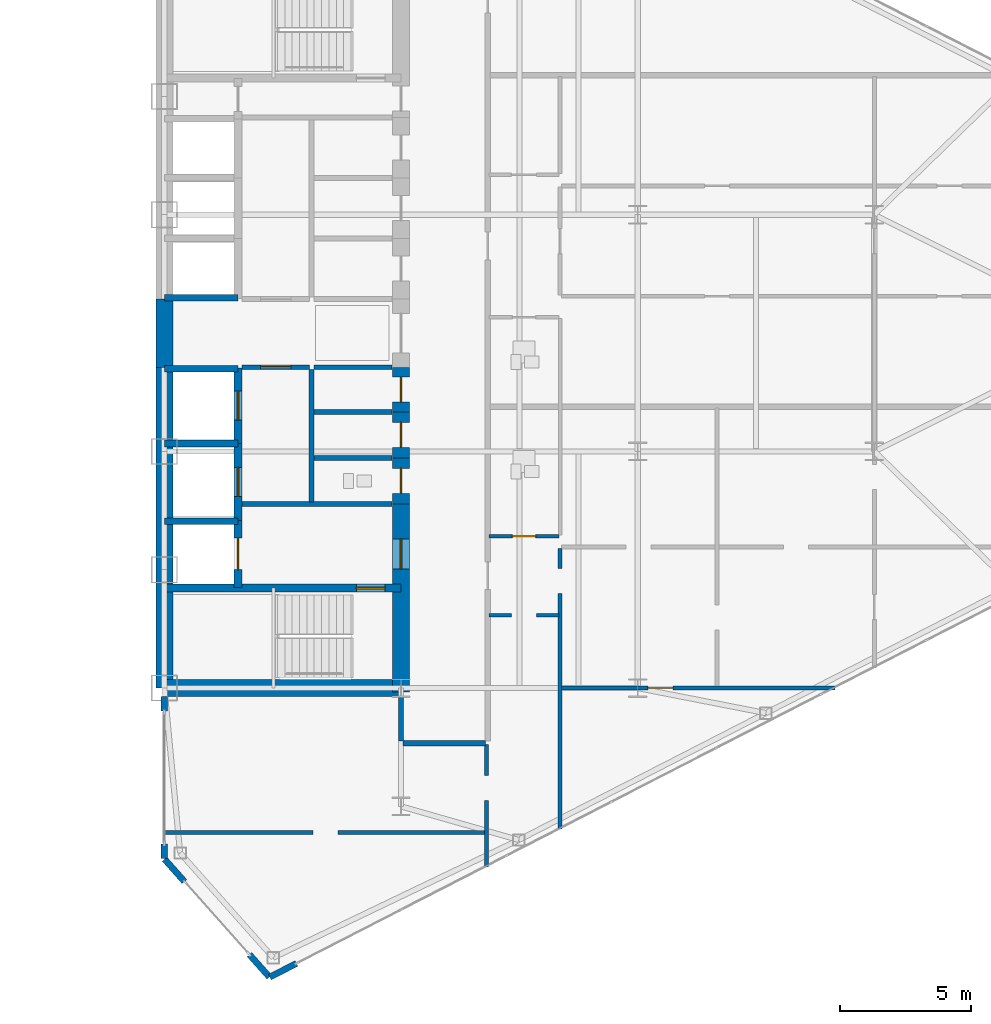
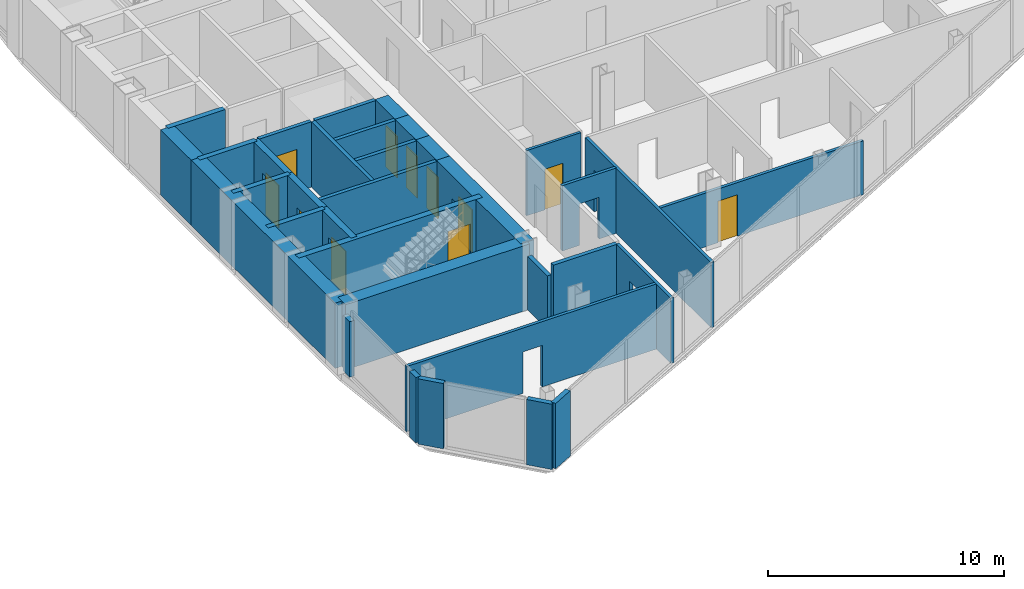
# One storey, part 19 of 24: 34 walls, 11 doors, 15 openings.
"""IFC4 building model written with IfcOpenShell, lengths in metres."""

import ifcopenshell
import ifcopenshell.guid

model = None  # the IFC model being written
_history = None  # IfcOwnerHistory: only IFC2X3 demands one
_inside = {}  # id of a spatial element -> (the spatial element, [elements in it])
_under = {}  # id of a project, library or spatial element -> (it, [spatial elements below it])
_declared = {}  # id of a project -> (the project, [libraries it declares])
_typed = {}  # id of a type object -> (the type object, [elements of that type])
_made_of = {}  # id of a material, layer set ... -> (it, [elements and type objects made of it])


def new_model(schema):
    """Start an empty IFC model of exactly this schema.

    Asked for "IFC4X3", IfcOpenShell would pick the latest addendum, in which some entities
    have other attributes; the version numbers below select the first issue.
    IFC2X3 requires an IfcOwnerHistory on every rooted entity: one is made here for all.
    """
    global model, _history
    if schema == "IFC4X3":
        model = ifcopenshell.file(schema_version=(4, 3, 0, 0))
    else:
        model = ifcopenshell.file(schema=schema)
    _inside.clear()
    _under.clear()
    _declared.clear()
    _typed.clear()
    _made_of.clear()
    _history = None
    if model.schema == "IFC2X3":
        org = make("IfcOrganization", Name="unknown")
        user = make(
            "IfcPersonAndOrganization",
            ThePerson=make("IfcPerson", FamilyName="unknown"),
            TheOrganization=org,
        )
        app = make(
            "IfcApplication",
            ApplicationDeveloper=org,
            Version="unknown",
            ApplicationFullName="unknown",
            ApplicationIdentifier="unknown",
        )
        _history = make(
            "IfcOwnerHistory",
            OwningUser=user,
            OwningApplication=app,
            ChangeAction="ADDED",
            CreationDate=0,
        )
    return model


def make(cls, **values):
    """One entity of the class cls with the attributes given. An attribute that is None is left unset."""
    return model.create_entity(
        cls, **{name: value for name, value in values.items() if value is not None}
    )


def rooted(cls, **values):
    """An entity with a GlobalId (a new one), such as an element, a storey or a relation."""
    return make(cls, GlobalId=ifcopenshell.guid.new(), OwnerHistory=_history, **values)


def si_unit(unit_type, name, prefix=None):
    """IfcSIUnit, for example si_unit("LENGTHUNIT", "METRE", prefix="MILLI")."""
    return make("IfcSIUnit", UnitType=unit_type, Prefix=prefix, Name=name)


def assignment(units):
    """IfcUnitAssignment: the units of a project."""
    return None if units is None else make("IfcUnitAssignment", Units=units)


def point(xyz):
    """IfcCartesianPoint."""
    return None if xyz is None else make("IfcCartesianPoint", Coordinates=xyz)


def direction(xyz):
    """IfcDirection."""
    return None if xyz is None else make("IfcDirection", DirectionRatios=xyz)


def frame(location, z_axis=None, x_axis=None):
    """IfcAxis2Placement3D, a coordinate frame: its origin and axes. An axis left out is left unset."""
    return make(
        "IfcAxis2Placement3D",
        Location=point(location),
        Axis=direction(z_axis),
        RefDirection=direction(x_axis),
    )


def frame_2d(location, x_axis=None):
    """IfcAxis2Placement2D, a coordinate frame in the plane: its origin and x axis."""
    return make(
        "IfcAxis2Placement2D", Location=point(location), RefDirection=direction(x_axis)
    )


def origin():
    """The frame at (0, 0, 0) with its axes left unset."""
    return frame((0.0, 0.0, 0.0))


def place(relative_to, where):
    """IfcLocalPlacement: puts the frame where relative to a parent placement (None: the world)."""
    return make(
        "IfcLocalPlacement", PlacementRelTo=relative_to, RelativePlacement=where
    )


def context(
    kind, dimensions, precision=None, world=None, true_north=None, identifier=None
):
    """IfcGeometricRepresentationContext, for example the 3D "Model" context."""
    return make(
        "IfcGeometricRepresentationContext",
        ContextIdentifier=identifier,
        ContextType=kind,
        CoordinateSpaceDimension=dimensions,
        Precision=precision,
        WorldCoordinateSystem=world,
        TrueNorth=true_north,
    )


def subcontext(parent, identifier, kind, view, scale=None):
    """IfcGeometricRepresentationSubContext, for example "Body" below "Model"."""
    return make(
        "IfcGeometricRepresentationSubContext",
        ContextIdentifier=identifier,
        ContextType=kind,
        ParentContext=parent,
        TargetScale=scale,
        TargetView=view,
    )


def project(units=None, contexts=None):
    """IfcProject with its units and contexts."""
    return rooted(
        "IfcProject",
        Name="project",
        RepresentationContexts=contexts,
        UnitsInContext=assignment(units),
    )


def spatial(cls, under=None, at=None, **own):
    """A site, building, storey or space (cls), placed at a placement, below another one or the project."""
    s = rooted(cls, ObjectPlacement=at, **own)
    if under is not None:
        _under.setdefault(under.id(), (under, []))[1].append(s)
    return s


def profile(cls, at=None, kind="AREA", **sizes):
    """A parametric profile (cls). Its sizes go by their IFC names, for example OverallWidth=200.0."""
    return make(cls, ProfileType=kind, Position=at, **sizes)


def rectangle(**sizes):
    """IfcRectangleProfileDef."""
    return profile("IfcRectangleProfileDef", **sizes)


def extrude(swept, where, along, depth):
    """IfcExtrudedAreaSolid: the profile swept, set in the frame where, extruded along a direction by depth."""
    return make(
        "IfcExtrudedAreaSolid",
        SweptArea=swept,
        Position=where,
        ExtrudedDirection=direction(along),
        Depth=depth,
    )


def shape(context_of_items, identifier, shape_type, items):
    """IfcShapeRepresentation: the items that make up one representation, for example the "Body"."""
    return make(
        "IfcShapeRepresentation",
        ContextOfItems=context_of_items,
        RepresentationIdentifier=identifier,
        RepresentationType=shape_type,
        Items=items,
    )


def source(mapping_origin, context_of_items, identifier, shape_type, items):
    """IfcRepresentationMap: a shape defined once, which mapped items show again and again."""
    return make(
        "IfcRepresentationMap",
        MappingOrigin=mapping_origin,
        MappedRepresentation=shape(context_of_items, identifier, shape_type, items),
    )


def transform(
    local_origin,
    x_axis=None,
    y_axis=None,
    z_axis=None,
    scale=None,
    scale2=None,
    scale3=None,
    uniform=True,
):
    """IfcCartesianTransformationOperator3D, or its non-uniform kind. x_axis, y_axis, z_axis: its Axis1, 2, 3."""
    if uniform:
        return make(
            "IfcCartesianTransformationOperator3D",
            Axis1=direction(x_axis),
            Axis2=direction(y_axis),
            LocalOrigin=point(local_origin),
            Scale=scale,
            Axis3=direction(z_axis),
        )
    return make(
        "IfcCartesianTransformationOperator3DnonUniform",
        Axis1=direction(x_axis),
        Axis2=direction(y_axis),
        LocalOrigin=point(local_origin),
        Scale=scale,
        Axis3=direction(z_axis),
        Scale2=scale2,
        Scale3=scale3,
    )


def mapped(mapping_source, mapping_target):
    """IfcMappedItem: shows the shape of a source again, moved by a transform."""
    return make(
        "IfcMappedItem", MappingSource=mapping_source, MappingTarget=mapping_target
    )


def material(Name=None, Category=None):
    """IfcMaterial."""
    return make("IfcMaterial", Name=Name, Category=Category)


def layer(
    of_material, thickness, ventilated=None, Name=None, Category=None, Priority=None
):
    """IfcMaterialLayer: one layer of a wall or slab, of a material (None: an air gap)."""
    return make(
        "IfcMaterialLayer",
        Material=of_material,
        LayerThickness=thickness,
        IsVentilated=ventilated,
        Name=Name,
        Category=Category,
        Priority=Priority,
    )


def layer_set(layers, Name=None):
    """IfcMaterialLayerSet."""
    return make("IfcMaterialLayerSet", MaterialLayers=layers, LayerSetName=Name)


def made_of(thing, what):
    """Note that an element or type object is made of a material, layer set ...; save() writes the relation."""
    if what is not None:
        _made_of.setdefault(what.id(), (what, []))[1].append(thing)
    return thing


def type_object(cls, material=None, **own):
    """A type object (cls), such as IfcWallType, which elements share."""
    return made_of(rooted(cls, **own), material)


def type_shapes(of_type, sources):
    """Give a type object the sources (RepresentationMaps) that its elements show as mapped items."""
    of_type.RepresentationMaps = sources


def element(
    cls,
    number,
    at=None,
    inside=None,
    cuts=None,
    type_object=None,
    material=None,
    context=None,
    identifier="Body",
    shape_type=None,
    held_by="IfcProductDefinitionShape",
    body=None,
    shapes=None,
    **own,
):
    """One element of the class cls, such as IfcWall. Its Tag is "e" and its number.

    at: its placement. inside: the storey or other place that contains it. cuts: it is an
    opening in that element (IfcRelVoidsElement). A single representation is given by context,
    identifier, shape_type and body (its items); several are given by shapes. held_by: the class
    of the entity that holds the representations. save() writes the other relations.
    """
    e = rooted(cls, Tag="e%d" % number, ObjectPlacement=at, **own)
    if body is not None:
        shapes = [shape(context, identifier, shape_type, body)]
    if shapes is not None:
        e.Representation = make(held_by, Representations=shapes)
    if inside is not None:
        _inside.setdefault(inside.id(), (inside, []))[1].append(e)
    if cuts is not None:
        rooted(
            "IfcRelVoidsElement", RelatingBuildingElement=cuts, RelatedOpeningElement=e
        )
    if type_object is not None:
        _typed.setdefault(type_object.id(), (type_object, []))[1].append(e)
    return made_of(e, material)


def fill(opening, filler):
    """IfcRelFillsElement: the door or window that sits in an opening."""
    return rooted(
        "IfcRelFillsElement",
        RelatingOpeningElement=opening,
        RelatedBuildingElement=filler,
    )


def aggregate(whole, parts):
    """IfcRelAggregates: a whole, such as a stair, and the parts it consists of."""
    return rooted("IfcRelAggregates", RelatingObject=whole, RelatedObjects=parts)


def save(model, path):
    """Write the relations noted so far, then the file.

    IfcRelAggregates (storeys below a building ...), IfcRelContainedInSpatialStructure (elements
    in a storey), IfcRelDefinesByType, IfcRelAssociatesMaterial and IfcRelDeclares: one each for
    every whole, place, type object, material and project.
    """
    for whole, parts in _under.values():
        aggregate(whole, parts)
    for where, things in _inside.values():
        rooted(
            "IfcRelContainedInSpatialStructure",
            RelatedElements=things,
            RelatingStructure=where,
        )
    for kind, things in _typed.values():
        rooted("IfcRelDefinesByType", RelatedObjects=things, RelatingType=kind)
    for what, things in _made_of.values():
        rooted("IfcRelAssociatesMaterial", RelatedObjects=things, RelatingMaterial=what)
    for by, libraries in _declared.values():
        rooted("IfcRelDeclares", RelatingContext=by, RelatedDefinitions=libraries)
    model.write(path)


model = new_model("IFC4")

# Units and contexts
model_context = context("Model", 3, precision=1e-05, world=origin(), true_north=direction((0.0, 1.0)))
body_context = subcontext(model_context, "Body", "Model", "MODEL_VIEW")
ifc_project = project(units=[si_unit("LENGTHUNIT", "METRE"), si_unit("AREAUNIT", "SQUARE_METRE"), si_unit("VOLUMEUNIT", "CUBIC_METRE"), si_unit("PLANEANGLEUNIT", "RADIAN"), si_unit("MASSUNIT", "GRAM", prefix="KILO")], contexts=[model_context])

# Site, building, storey
site_placement = place(None, origin())
site = spatial("IfcSite", under=ifc_project, at=site_placement, CompositionType="ELEMENT")
building_placement = place(site_placement, origin())
building = spatial("IfcBuilding", under=site, at=building_placement, Name="Seokmaru Belvedere", CompositionType="ELEMENT")
storey_placement = place(building_placement, frame((0.0, 0.0, 124.800048828125)))
storey = spatial("IfcBuildingStorey", under=building, at=storey_placement, Name="L33", CompositionType="ELEMENT", Elevation=124.800048828125)

# Wall, opening
ifc_material_1 = material(Name="Fire-Rated Gypsum Shaftwall")
ifc_layer_1 = layer(ifc_material_1, 0.14990234375)
ifc_layer_set_1 = layer_set([ifc_layer_1], Name="Fire-Rated Gypsum Shaftwall")
wall_type_1 = type_object("IfcWallType", Name="Apartment Fire-Acoustic Room Partition 150", PredefinedType="PARTITIONING", material=ifc_layer_set_1)
wall_1_placement = place(storey_placement, frame((27.465087890625, -19.0, 0.0), z_axis=(0.0, 0.0, 1.0), x_axis=(1.0, 0.0, 0.0)))
wall_1 = element("IfcWall", 1, at=wall_1_placement, inside=storey, type_object=wall_type_1, Name="L33 Interior Partition 001", PredefinedType="PARTITIONING", context=body_context, shape_type="SweptSolid", body=[
    extrude(rectangle(XDim=12.23486328125, YDim=0.14990234375, at=frame_2d((6.117431640625, 0.0))), origin(), (0.0, 0.0, 1.0), 3.3798828125),
])
opening_1_placement = place(wall_1_placement, frame((5.68505859375, 0.0, 0.0)))
element("IfcOpeningElement", 2, at=opening_1_placement, cuts=wall_1, Name="L33 Cased Opening 041", PredefinedType="OPENING", context=body_context, shape_type="SweptSolid", body=[
    extrude(rectangle(XDim=0.949951171875, YDim=2.14990234375, at=frame_2d((0.47509765625, 1.074951171875))), frame((0.0, 0.0849609375, 0.0), z_axis=(0.0, -1.0, 0.0), x_axis=(1.0, 0.0, 0.0)), (0.0, 0.0, 1.0), 0.169921875),
])

# Wall, opening, door
wall_2_placement = place(storey_placement, frame((42.60009765625, -13.489990234375, 0.0), z_axis=(0.0, 0.0, 1.0), x_axis=(1.0, 0.0, 0.0)))
wall_2 = element("IfcWall", 3, at=wall_2_placement, inside=storey, type_object=wall_type_1, Name="L33 Interior Partition 004", PredefinedType="PARTITIONING", context=body_context, shape_type="SweptSolid", body=[
    extrude(rectangle(XDim=10.39697265625, YDim=0.14990234375, at=frame_2d((5.198486328125, 0.0))), origin(), (0.0, 0.0, 1.0), 2.780029296875),
])
opening_2_placement = place(wall_2_placement, frame((3.285400390625, 0.0, 0.0)))
opening_2 = element("IfcOpeningElement", 4, at=opening_2_placement, cuts=wall_2, Name="Opening D05", PredefinedType="OPENING", context=body_context, shape_type="SweptSolid", body=[
    extrude(rectangle(XDim=0.949951171875, YDim=2.14990234375, at=frame_2d((0.47509765625, 1.074951171875))), frame((0.0, 0.0849609375, 0.0), z_axis=(0.0, -1.0, 0.0), x_axis=(1.0, 0.0, 0.0)), (0.0, 0.0, 1.0), 0.169921875),
])
ifc_material_2 = material(Name="Engineered White Oak Timber", Category="wood")
door_type_1 = type_object("IfcDoorType", Name="Apartment Interior Fire-Rated Oak Door 950x2150", OperationType="NOTDEFINED", PredefinedType="DOOR", material=ifc_material_2)
shared_shape_1 = source(origin(), body_context, "Body", "SweptSolid", [
    extrude(rectangle(XDim=0.949951171875, YDim=2.14990234375, at=frame_2d((0.47509765625, 1.074951171875))), frame((0.0, 0.02490234375, 0.0), z_axis=(0.0, -1.0, 0.0), x_axis=(1.0, 0.0, 0.0)), (0.0, 0.0, 1.0), 0.050048828125),
])
type_shapes(door_type_1, [shared_shape_1])
door_1_placement = place(opening_2_placement, origin())
door_1 = element("IfcDoor", 5, at=door_1_placement, inside=storey, type_object=door_type_1, Name="L33 Interior Door 033", OperationType="SINGLE_SWING_RIGHT", OverallHeight=2.14990234375, OverallWidth=0.949951171875, PredefinedType="DOOR", context=body_context, shape_type="MappedRepresentation", body=[
    mapped(shared_shape_1, transform((0.0, 0.0, 0.0), scale=1.0)),
])
fill(opening_2, door_1)

# Wall, opening
wall_3_placement = place(storey_placement, frame((39.85009765625, -10.72998046875, 0.0), z_axis=(0.0, 0.0, 1.0), x_axis=(1.0, 0.0, 0.0)))
wall_3 = element("IfcWall", 6, at=wall_3_placement, inside=storey, type_object=wall_type_1, Name="L33 Interior Partition 005", PredefinedType="PARTITIONING", context=body_context, shape_type="SweptSolid", body=[
    extrude(rectangle(XDim=2.64990234375, YDim=0.14990234375, at=frame_2d((1.324951171875, 0.0))), origin(), (0.0, 0.0, 1.0), 3.3798828125),
])
opening_3_placement = place(wall_3_placement, frame((0.85009765625, 0.0, 0.0)))
element("IfcOpeningElement", 7, at=opening_3_placement, cuts=wall_3, Name="L33 Cased Opening 031", PredefinedType="OPENING", context=body_context, shape_type="SweptSolid", body=[
    extrude(rectangle(XDim=0.949951171875, YDim=2.14990234375, at=frame_2d((0.47509765625, 1.074951171875))), frame((0.0, 0.0849609375, 0.0), z_axis=(0.0, -1.0, 0.0), x_axis=(1.0, 0.0, 0.0)), (0.0, 0.0, 1.0), 0.169921875),
])

wall_4_placement = place(storey_placement, frame((39.75, -20.301025390625, 0.0), z_axis=(0.0, 0.0, 1.0), x_axis=(0.0, 1.0, 0.0)))
wall_4 = element("IfcWall", 8, at=wall_4_placement, inside=storey, type_object=wall_type_1, Name="L33 Interior Partition 039", PredefinedType="PARTITIONING", context=body_context, shape_type="SweptSolid", body=[
    extrude(rectangle(XDim=4.651123046875, YDim=0.14990234375, at=frame_2d((2.32568359375, 0.0))), origin(), (0.0, 0.0, 1.0), 3.3798828125),
])
opening_4_placement = place(wall_4_placement, frame((2.52587890625, 0.0, 0.0)))
element("IfcOpeningElement", 9, at=opening_4_placement, cuts=wall_4, Name="L33 Cased Opening 040", PredefinedType="OPENING", context=body_context, shape_type="SweptSolid", body=[
    extrude(rectangle(XDim=0.949951171875, YDim=2.14990234375, at=frame_2d((0.47509765625, 1.074951171875))), frame((0.0, 0.0849609375, 0.0), z_axis=(0.0, -1.0, 0.0), x_axis=(1.0, 0.0, 0.0)), (0.0, 0.0, 1.0), 0.169921875),
])

wall_5_placement = place(storey_placement, frame((42.550048828125, -18.864990234375, 0.0), z_axis=(0.0, 0.0, 1.0), x_axis=(0.0, 1.0, 0.0)))
wall_5 = element("IfcWall", 10, at=wall_5_placement, inside=storey, type_object=wall_type_1, Name="L33 Interior Partition 041", PredefinedType="PARTITIONING", context=body_context, shape_type="SweptSolid", body=[
    extrude(rectangle(XDim=10.671875, YDim=0.14990234375, at=frame_2d((5.3359375, 0.0))), origin(), (0.0, 0.0, 1.0), 3.3798828125),
])
opening_5_placement = place(wall_5_placement, frame((8.95458984375, 0.0, 0.0)))
element("IfcOpeningElement", 11, at=opening_5_placement, cuts=wall_5, Name="L33 Cased Opening 032", PredefinedType="OPENING", context=body_context, shape_type="SweptSolid", body=[
    extrude(rectangle(XDim=0.949951171875, YDim=2.14990234375, at=frame_2d((0.47509765625, 1.074951171875))), frame((0.0, 0.0849609375, 0.0), z_axis=(0.0, -1.0, 0.0), x_axis=(1.0, 0.0, 0.0)), (0.0, 0.0, 1.0), 0.169921875),
])

# Walls
ifc_layer_2 = layer(ifc_material_1, 0.179931640625)
ifc_layer_set_2 = layer_set([ifc_layer_2], Name="Fire-Rated Gypsum Shaftwall")
wall_type_2 = type_object("IfcWallType", Name="Core Service Fire Partition 180", PredefinedType="PARTITIONING", material=ifc_layer_set_2)
wall_6_placement = place(storey_placement, frame((30.449951171875, -6.5, 0.0), z_axis=(0.0, 0.0, 1.0), x_axis=(1.0, 0.0, 0.0)))
element("IfcWall", 12, at=wall_6_placement, inside=storey, type_object=wall_type_2, Name="L33 East Firefighting Lobby Partition", PredefinedType="PARTITIONING", context=body_context, shape_type="SweptSolid", body=[
    extrude(rectangle(XDim=5.699951171875, YDim=0.179931640625, at=frame_2d((2.85009765625, 0.0))), origin(), (0.0, 0.0, 1.0), 3.3798828125),
])
wall_7_placement = place(storey_placement, frame((33.10009765625, -6.419921875, 0.0), z_axis=(0.0, 0.0, 1.0), x_axis=(0.0, 1.0, 0.0)))
element("IfcWall", 13, at=wall_7_placement, inside=storey, type_object=wall_type_2, Name="L33 East South Core Service Back Wall", PredefinedType="PARTITIONING", context=body_context, shape_type="SweptSolid", body=[
    extrude(rectangle(XDim=5.0400390625, YDim=0.179931640625, at=frame_2d((2.52001953125, 0.0))), origin(), (0.0, 0.0, 1.0), 3.3798828125),
])

# Wall, opening, door
wall_8_placement = place(storey_placement, frame((30.449951171875, -1.300048828125, 0.0), z_axis=(0.0, 0.0, 1.0), x_axis=(1.0, 0.0, 0.0)))
wall_8 = element("IfcWall", 14, at=wall_8_placement, inside=storey, type_object=wall_type_2, Name="L33 East South Lift Lobby Foyer Wall", PredefinedType="PARTITIONING", context=body_context, shape_type="SweptSolid", body=[
    extrude(rectangle(XDim=2.570068359375, YDim=0.179931640625, at=frame_2d((1.28515625, 0.0))), origin(), (0.0, 0.0, 1.0), 3.3798828125),
])
opening_6_placement = place(wall_8_placement, frame((0.7099609375, 0.0, 0.0)))
opening_6 = element("IfcOpeningElement", 15, at=opening_6_placement, cuts=wall_8, Name="Opening D02", PredefinedType="OPENING", context=body_context, shape_type="SweptSolid", body=[
    extrude(rectangle(XDim=1.14990234375, YDim=2.199951171875, at=frame_2d((0.574951171875, 1.10009765625))), frame((0.0, 0.10009765625, 0.0), z_axis=(0.0, -1.0, 0.0), x_axis=(1.0, 0.0, 0.0)), (0.0, 0.0, 1.0), 0.199951171875),
])
ifc_material_3 = material(Name="Fire-Rated Steel Leaf", Category="steel")
door_type_2 = type_object("IfcDoorType", Name="Lobby and Vestibule Fire Door 1150x2200", OperationType="NOTDEFINED", PredefinedType="DOOR", material=ifc_material_3)
shared_shape_2 = source(origin(), body_context, "Body", "SweptSolid", [
    extrude(rectangle(XDim=1.14990234375, YDim=2.199951171875, at=frame_2d((0.574951171875, 1.10009765625))), frame((0.0, 0.02490234375, 0.0), z_axis=(0.0, -1.0, 0.0), x_axis=(1.0, 0.0, 0.0)), (0.0, 0.0, 1.0), 0.050048828125),
])
type_shapes(door_type_2, [shared_shape_2])
door_2_placement = place(opening_6_placement, origin())
door_2 = element("IfcDoor", 16, at=door_2_placement, inside=storey, type_object=door_type_2, Name="L33 East South Core Foyer Door", OperationType="SINGLE_SWING_RIGHT", OverallHeight=2.199951171875, OverallWidth=1.14990234375, PredefinedType="DOOR", context=body_context, shape_type="MappedRepresentation", body=[
    mapped(shared_shape_2, transform((0.0, 0.0, 0.0), scale=1.0)),
])
fill(opening_6, door_2)

# Walls
for number, where, z_axis, x_axis, name in (
    (17, (33.199951171875, -1.300048828125, 0.0), (0.0, 0.0, 1.0), (1.0, 0.0, 0.0), "L33 East Foyer Side Wall S"),
    (18, (33.199951171875, -4.75, 0.0), (0.0, 0.0, 1.0), (1.0, 0.0, 0.0), "L33 East Core Service Partition 1"),
    (19, (33.199951171875, -3.0, 0.0), (0.0, 0.0, 1.0), (1.0, 0.0, 0.0), "L33 East Core Service Partition 2"),
):
    element("IfcWall", number, at=place(storey_placement, frame(where, z_axis=z_axis, x_axis=x_axis)), inside=storey, type_object=wall_type_2, Name=name, PredefinedType="PARTITIONING", context=body_context, shape_type="SweptSolid", body=[
        extrude(rectangle(XDim=2.949951171875, YDim=0.179931640625, at=frame_2d((1.47509765625, 0.0))), origin(), (0.0, 0.0, 1.0), 3.3798828125),
    ])
ifc_material_4 = material(Name="Concrete C50 (50 MPa)", Category="concrete")
ifc_layer_3 = layer(ifc_material_4, 0.25)
ifc_layer_set_3 = layer_set([ifc_layer_3], Name="Concrete C50 (50 MPa)")
wall_type_3 = type_object("IfcWallType", Name="Hoistway Transverse Concrete Divider Wall 250", PredefinedType="SHEAR", material=ifc_layer_set_3)
for number, where, z_axis, x_axis, name in (
    (20, (27.5, -7.14990234375, 0.0), (0.0, 0.0, 1.0), (1.0, 0.0, 0.0), "L33 East Hoistway Divider Core Wall 1"),
    (21, (27.5, -4.199951171875, 0.0), (0.0, 0.0, 1.0), (1.0, 0.0, 0.0), "L33 East Hoistway Divider Core Wall 2"),
    (22, (27.5, -1.35009765625, 0.0), (0.0, 0.0, 1.0), (1.0, 0.0, 0.0), "L33 East Hoistway Divider Core Wall 3"),
    (23, (27.5, 1.35009765625, 0.0), (0.0, 0.0, 1.0), (1.0, 0.0, 0.0), "L33 East Hoistway Divider Core Wall 4"),
):
    element("IfcWall", number, at=place(storey_placement, frame(where, z_axis=z_axis, x_axis=x_axis)), inside=storey, type_object=wall_type_3, Name=name, PredefinedType="SHEAR", context=body_context, shape_type="SweptSolid", body=[
        extrude(rectangle(XDim=2.800048828125, YDim=0.25, at=frame_2d((1.39990234375, 0.0))), origin(), (0.0, 0.0, 1.0), 3.3798828125),
    ])
ifc_layer_4 = layer(ifc_material_1, 0.199951171875)
ifc_layer_set_4 = layer_set([ifc_layer_4], Name="Fire-Rated Gypsum Shaftwall")
wall_type_4 = type_object("IfcWallType", Name="Inter-Tenancy Fire Compartment Partition 200", PredefinedType="PARTITIONING", material=ifc_layer_set_4)
wall_9_placement = place(storey_placement, frame((36.5849609375, -15.60009765625, 0.0), z_axis=(0.0, 0.0, 1.0), x_axis=(1.0, 0.0, 0.0)))
element("IfcWall", 24, at=wall_9_placement, inside=storey, type_object=wall_type_4, Name="L33 Interior Partition 003", PredefinedType="PARTITIONING", context=body_context, shape_type="SweptSolid", body=[
    extrude(rectangle(XDim=3.130126953125, YDim=0.199951171875, at=frame_2d((1.56494140625, 0.0))), origin(), (0.0, 0.0, 1.0), 3.3798828125),
])
wall_10_placement = place(storey_placement, frame((36.5, -15.514892578125, 0.0), z_axis=(0.0, 0.0, 1.0), x_axis=(0.0, 1.0, 0.0)))
element("IfcWall", 25, at=wall_10_placement, inside=storey, type_object=wall_type_4, Name="L33 Interior Partition 037", PredefinedType="PARTITIONING", context=body_context, shape_type="SweptSolid", body=[
    extrude(rectangle(XDim=1.684814453125, YDim=0.199951171875, at=frame_2d((0.84228515625, 0.0))), origin(), (0.0, 0.0, 1.0), 2.780029296875),
])

# Wall, opening, door
ifc_layer_5 = layer(ifc_material_4, 0.300048828125)
ifc_layer_set_5 = layer_set([ifc_layer_5], Name="Concrete C50 (50 MPa)")
wall_type_5 = type_object("IfcWallType", Name="Internal Core Stair and Hoistway Wall 300", PredefinedType="SHEAR", material=ifc_layer_set_5)
wall_11_placement = place(storey_placement, frame((27.5, -9.699951171875, 0.0), z_axis=(0.0, 0.0, 1.0), x_axis=(1.0, 0.0, 0.0)))
wall_11 = element("IfcWall", 26, at=wall_11_placement, inside=storey, type_object=wall_type_5, Name="L33 East Stair ST-1 Enclosure Wall", PredefinedType="SHEAR", context=body_context, shape_type="SweptSolid", body=[
    extrude(rectangle(XDim=9.0, YDim=0.300048828125, at=frame_2d((4.5, 0.0))), origin(), (0.0, 0.0, 1.0), 3.3798828125),
])
opening_7_placement = place(wall_11_placement, frame((7.300048828125, 0.0, 0.0)))
opening_7 = element("IfcOpeningElement", 27, at=opening_7_placement, cuts=wall_11, Name="Opening D01", PredefinedType="OPENING", context=body_context, shape_type="SweptSolid", body=[
    extrude(rectangle(XDim=1.10009765625, YDim=2.199951171875, at=frame_2d((0.550048828125, 1.10009765625))), frame((0.0, 0.16015625, 0.0), z_axis=(0.0, -1.0, 0.0), x_axis=(1.0, 0.0, 0.0)), (0.0, 0.0, 1.0), 0.320068359375),
])
door_type_3 = type_object("IfcDoorType", Name="Special Escape Stair Smokeproof Fire Door 1100x2200", OperationType="NOTDEFINED", PredefinedType="DOOR", material=ifc_material_3)
shared_shape_3 = source(origin(), body_context, "Body", "SweptSolid", [
    extrude(rectangle(XDim=1.10009765625, YDim=2.199951171875, at=frame_2d((0.550048828125, 1.10009765625))), frame((0.0, 0.02490234375, 0.0), z_axis=(0.0, -1.0, 0.0), x_axis=(1.0, 0.0, 0.0)), (0.0, 0.0, 1.0), 0.050048828125),
])
type_shapes(door_type_3, [shared_shape_3])
door_3_placement = place(opening_7_placement, frame((1.10009765625, 0.0, 0.0), z_axis=(0.0, 0.0, 1.0), x_axis=(-1.0, 0.0, 0.0)))
door_3 = element("IfcDoor", 28, at=door_3_placement, inside=storey, type_object=door_type_3, Name="L33 East Special Escape Stair ST-1 Door", OperationType="SINGLE_SWING_RIGHT", OverallHeight=2.199951171875, OverallWidth=1.10009765625, PredefinedType="DOOR", context=body_context, shape_type="MappedRepresentation", body=[
    mapped(shared_shape_3, transform((0.0, 0.0, 0.0), scale=1.0)),
])
fill(opening_7, door_3)

wall_12_placement = place(storey_placement, frame((30.300048828125, -9.679931640625, 0.0), z_axis=(0.0, 0.0, 1.0), x_axis=(0.0, 1.0, 0.0)))
wall_12 = element("IfcWall", 29, at=wall_12_placement, inside=storey, type_object=wall_type_5, Name="L33 East Firefighting Lift Shaft Front Wall", PredefinedType="SHEAR", context=body_context, shape_type="SweptSolid", body=[
    extrude(rectangle(XDim=2.559814453125, YDim=0.300048828125, at=frame_2d((1.27978515625, 0.0))), origin(), (0.0, 0.0, 1.0), 3.3798828125),
])
opening_8_placement = place(wall_12_placement, frame((0.679931640625, 0.0, 0.0)))
opening_8 = element("IfcOpeningElement", 30, at=opening_8_placement, cuts=wall_12, Name="Opening LD2", PredefinedType="OPENING", context=body_context, shape_type="SweptSolid", body=[
    extrude(rectangle(XDim=1.199951171875, YDim=2.25, at=frame_2d((0.60009765625, 1.125))), frame((0.0, 0.16015625, 0.0), z_axis=(0.0, -1.0, 0.0), x_axis=(1.0, 0.0, 0.0)), (0.0, 0.0, 1.0), 0.320068359375),
])
ifc_material_5 = material(Name="Stainless Steel 316", Category="steel")
door_type_4 = type_object("IfcDoorType", Name="Firefighting Lift Sliding Landing Door 1200x2250", OperationType="DOUBLE_DOOR_SLIDING", PredefinedType="DOOR", material=ifc_material_5)
shared_shape_4 = source(origin(), body_context, "Body", "SweptSolid", [
    extrude(rectangle(XDim=1.199951171875, YDim=2.25, at=frame_2d((0.60009765625, 1.125))), frame((0.0, 0.02490234375, 0.0), z_axis=(0.0, -1.0, 0.0), x_axis=(1.0, 0.0, 0.0)), (0.0, 0.0, 1.0), 0.050048828125),
])
type_shapes(door_type_4, [shared_shape_4])
door_4_placement = place(opening_8_placement, origin())
door_4 = element("IfcDoor", 31, at=door_4_placement, inside=storey, type_object=door_type_4, Name="L33 East Firefighting Lift Landing Door", OperationType="DOUBLE_DOOR_SLIDING", OverallHeight=2.25, OverallWidth=1.199951171875, PredefinedType="DOOR", context=body_context, shape_type="MappedRepresentation", body=[
    mapped(shared_shape_4, transform((0.0, 0.0, 0.0), scale=1.0)),
])
fill(opening_8, door_4)

wall_13_placement = place(storey_placement, frame((30.300048828125, -7.1201171875, 0.0), z_axis=(0.0, 0.0, 1.0), x_axis=(0.0, 1.0, 0.0)))
wall_13 = element("IfcWall", 32, at=wall_13_placement, inside=storey, type_object=wall_type_5, Name="L33 East Low-Rise Lift PL-1 Front Wall", PredefinedType="SHEAR", context=body_context, shape_type="SweptSolid", body=[
    extrude(rectangle(XDim=2.920166015625, YDim=0.300048828125, at=frame_2d((1.4599609375, 0.0))), origin(), (0.0, 0.0, 1.0), 3.3798828125),
])
opening_9_placement = place(wall_13_placement, frame((0.909912109375, 0.0, 0.0)))
opening_9 = element("IfcOpeningElement", 33, at=opening_9_placement, cuts=wall_13, Name="Opening LD1", PredefinedType="OPENING", context=body_context, shape_type="SweptSolid", body=[
    extrude(rectangle(XDim=1.10009765625, YDim=2.199951171875, at=frame_2d((0.550048828125, 1.10009765625))), frame((0.0, 0.16015625, 0.0), z_axis=(0.0, -1.0, 0.0), x_axis=(1.0, 0.0, 0.0)), (0.0, 0.0, 1.0), 0.320068359375),
])
door_type_5 = type_object("IfcDoorType", Name="Passenger Lift Sliding Landing Door 1100x2200", OperationType="DOUBLE_DOOR_SLIDING", PredefinedType="DOOR", material=ifc_material_5)
shared_shape_5 = source(origin(), body_context, "Body", "SweptSolid", [
    extrude(rectangle(XDim=1.10009765625, YDim=2.199951171875, at=frame_2d((0.550048828125, 1.10009765625))), frame((0.0, 0.02490234375, 0.0), z_axis=(0.0, -1.0, 0.0), x_axis=(1.0, 0.0, 0.0)), (0.0, 0.0, 1.0), 0.050048828125),
])
type_shapes(door_type_5, [shared_shape_5])
door_5_placement = place(opening_9_placement, origin())
door_5 = element("IfcDoor", 34, at=door_5_placement, inside=storey, type_object=door_type_5, Name="L33 East Low-Rise Lift PL-1 Landing Door", OperationType="DOUBLE_DOOR_SLIDING", OverallHeight=2.199951171875, OverallWidth=1.10009765625, PredefinedType="DOOR", context=body_context, shape_type="MappedRepresentation", body=[
    mapped(shared_shape_5, transform((0.0, 0.0, 0.0), scale=1.0)),
])
fill(opening_9, door_5)

wall_14_placement = place(storey_placement, frame((30.300048828125, -4.199951171875, 0.0), z_axis=(0.0, 0.0, 1.0), x_axis=(0.0, 1.0, 0.0)))
wall_14 = element("IfcWall", 35, at=wall_14_placement, inside=storey, type_object=wall_type_5, Name="L33 East Low-Rise Lift PL-2 Front Wall", PredefinedType="SHEAR", context=body_context, shape_type="SweptSolid", body=[
    extrude(rectangle(XDim=2.8798828125, YDim=0.300048828125, at=frame_2d((1.43994140625, 0.0))), origin(), (0.0, 0.0, 1.0), 3.3798828125),
])
opening_10_placement = place(wall_14_placement, frame((0.889892578125, 0.0, 0.0)))
opening_10 = element("IfcOpeningElement", 36, at=opening_10_placement, cuts=wall_14, Name="Opening LD1", PredefinedType="OPENING", context=body_context, shape_type="SweptSolid", body=[
    extrude(rectangle(XDim=1.10009765625, YDim=2.199951171875, at=frame_2d((0.550048828125, 1.10009765625))), frame((0.0, 0.16015625, 0.0), z_axis=(0.0, -1.0, 0.0), x_axis=(1.0, 0.0, 0.0)), (0.0, 0.0, 1.0), 0.320068359375),
])
door_6_placement = place(opening_10_placement, origin())
door_6 = element("IfcDoor", 37, at=door_6_placement, inside=storey, type_object=door_type_5, Name="L33 East Low-Rise Lift PL-2 Landing Door", OperationType="DOUBLE_DOOR_SLIDING", OverallHeight=2.199951171875, OverallWidth=1.10009765625, PredefinedType="DOOR", context=body_context, shape_type="MappedRepresentation", body=[
    mapped(shared_shape_5, transform((0.0, 0.0, 0.0), scale=1.0)),
])
fill(opening_10, door_6)

# Walls
ifc_material_6 = material(Name="Concrete C60 (60 MPa)", Category="concrete")
ifc_layer_6 = layer(ifc_material_6, 0.64990234375)
ifc_layer_set_6 = layer_set([ifc_layer_6], Name="Concrete C60 (60 MPa)")
wall_type_6 = type_object("IfcWallType", Name="Mid-Low Reinforced Concrete Core Wall 650", PredefinedType="SHEAR", material=ifc_layer_set_6)
wall_15_placement = place(storey_placement, frame((27.5, -13.5, 0.0), z_axis=(0.0, 0.0, 1.0), x_axis=(0.0, 1.0, 0.0)))
element("IfcWall", 38, at=wall_15_placement, inside=storey, type_object=wall_type_6, Name="L33 East Portal Spine Core Wall South", PredefinedType="SHEAR", context=body_context, shape_type="SweptSolid", body=[
    extrude(rectangle(XDim=12.199951171875, YDim=0.64990234375, at=frame_2d((6.10009765625, 0.0))), origin(), (0.0, 0.0, 1.0), 3.3798828125),
])
wall_16_placement = place(storey_placement, frame((27.5, -1.300048828125, 0.0), z_axis=(0.0, 0.0, 1.0), x_axis=(0.0, 1.0, 0.0)))
element("IfcWall", 39, at=wall_16_placement, inside=storey, type_object=wall_type_6, Name="L33 East Portal Spine Core Wall Center", PredefinedType="SHEAR", context=body_context, shape_type="SweptSolid", body=[
    extrude(rectangle(XDim=2.60009765625, YDim=0.64990234375, at=frame_2d((1.300048828125, 0.0))), origin(), (0.0, 0.0, 1.0), 3.3798828125),
])
wall_17_placement = place(storey_placement, frame((27.5, -13.5, 0.0), z_axis=(0.0, 0.0, 1.0), x_axis=(1.0, 0.0, 0.0)))
element("IfcWall", 40, at=wall_17_placement, inside=storey, type_object=wall_type_6, Name="L33 East South Core Wall", PredefinedType="SHEAR", context=body_context, shape_type="SweptSolid", body=[
    extrude(rectangle(XDim=9.0, YDim=0.64990234375, at=frame_2d((4.5, 0.0))), origin(), (0.0, 0.0, 1.0), 3.3798828125),
])

# Wall, opening, door
wall_18_placement = place(storey_placement, frame((36.5, -13.64990234375, 0.0), z_axis=(0.0, 0.0, 1.0), x_axis=(0.0, 1.0, 0.0)))
wall_18 = element("IfcWall", 41, at=wall_18_placement, inside=storey, type_object=wall_type_6, Name="L33 East West Core Wall FF", PredefinedType="SHEAR", context=body_context, shape_type="SweptSolid", body=[
    extrude(rectangle(XDim=7.14990234375, YDim=0.64990234375, at=frame_2d((3.574951171875, 0.0))), origin(), (0.0, 0.0, 1.0), 3.3798828125),
])
opening_11_placement = place(wall_18_placement, frame((4.675048828125, 0.0, 0.0)))
opening_11 = element("IfcOpeningElement", 42, at=opening_11_placement, cuts=wall_18, Name="Opening D02", PredefinedType="OPENING", context=body_context, shape_type="SweptSolid", body=[
    extrude(rectangle(XDim=1.14990234375, YDim=2.199951171875, at=frame_2d((0.574951171875, 1.10009765625))), frame((0.0, 0.3349609375, 0.0), z_axis=(0.0, -1.0, 0.0), x_axis=(1.0, 0.0, 0.0)), (0.0, 0.0, 1.0), 0.669921875),
])
door_7_placement = place(opening_11_placement, origin())
door_7 = element("IfcDoor", 43, at=door_7_placement, inside=storey, type_object=door_type_2, Name="L33 East Firefighting Lobby Door", OperationType="SINGLE_SWING_RIGHT", OverallHeight=2.199951171875, OverallWidth=1.14990234375, PredefinedType="DOOR", context=body_context, shape_type="MappedRepresentation", body=[
    mapped(shared_shape_2, transform((0.0, 0.0, 0.0), scale=1.0)),
])
fill(opening_11, door_7)

wall_19_placement = place(storey_placement, frame((36.5, -6.5, 0.0), z_axis=(0.0, 0.0, 1.0), x_axis=(0.0, 1.0, 0.0)))
wall_19 = element("IfcWall", 44, at=wall_19_placement, inside=storey, type_object=wall_type_6, Name="L33 East West Core Wall CS1", PredefinedType="SHEAR", context=body_context, shape_type="SweptSolid", body=[
    extrude(rectangle(XDim=1.75, YDim=0.64990234375, at=frame_2d((0.875, 0.0))), origin(), (0.0, 0.0, 1.0), 3.3798828125),
])
opening_12_placement = place(wall_19_placement, frame((0.39990234375, 0.0, 0.0)))
opening_12 = element("IfcOpeningElement", 45, at=opening_12_placement, cuts=wall_19, Name="Opening D04", PredefinedType="OPENING", context=body_context, shape_type="SweptSolid", body=[
    extrude(rectangle(XDim=0.949951171875, YDim=2.14990234375, at=frame_2d((0.47509765625, 1.074951171875))), frame((0.0, 0.3349609375, 0.0), z_axis=(0.0, -1.0, 0.0), x_axis=(1.0, 0.0, 0.0)), (0.0, 0.0, 1.0), 0.669921875),
])
door_type_6 = type_object("IfcDoorType", Name="Core Service Room Fire Door 950x2150", OperationType="NOTDEFINED", PredefinedType="DOOR", material=ifc_material_3)
shared_shape_6 = source(origin(), body_context, "Body", "SweptSolid", [
    extrude(rectangle(XDim=0.949951171875, YDim=2.14990234375, at=frame_2d((0.47509765625, 1.074951171875))), frame((0.0, 0.02490234375, 0.0), z_axis=(0.0, -1.0, 0.0), x_axis=(1.0, 0.0, 0.0)), (0.0, 0.0, 1.0), 0.050048828125),
])
type_shapes(door_type_6, [shared_shape_6])
door_8_placement = place(opening_12_placement, origin())
door_8 = element("IfcDoor", 46, at=door_8_placement, inside=storey, type_object=door_type_6, Name="L33 East Core Service Room Door 1", OperationType="SINGLE_SWING_RIGHT", OverallHeight=2.14990234375, OverallWidth=0.949951171875, PredefinedType="DOOR", context=body_context, shape_type="MappedRepresentation", body=[
    mapped(shared_shape_6, transform((0.0, 0.0, 0.0), scale=1.0)),
])
fill(opening_12, door_8)

wall_20_placement = place(storey_placement, frame((36.5, -4.75, 0.0), z_axis=(0.0, 0.0, 1.0), x_axis=(0.0, 1.0, 0.0)))
wall_20 = element("IfcWall", 47, at=wall_20_placement, inside=storey, type_object=wall_type_6, Name="L33 East West Core Wall CS2", PredefinedType="SHEAR", context=body_context, shape_type="SweptSolid", body=[
    extrude(rectangle(XDim=1.75, YDim=0.64990234375, at=frame_2d((0.875, 0.0))), origin(), (0.0, 0.0, 1.0), 3.3798828125),
])
opening_13_placement = place(wall_20_placement, frame((0.39990234375, 0.0, 0.0)))
opening_13 = element("IfcOpeningElement", 48, at=opening_13_placement, cuts=wall_20, Name="Opening D04", PredefinedType="OPENING", context=body_context, shape_type="SweptSolid", body=[
    extrude(rectangle(XDim=0.949951171875, YDim=2.14990234375, at=frame_2d((0.47509765625, 1.074951171875))), frame((0.0, 0.3349609375, 0.0), z_axis=(0.0, -1.0, 0.0), x_axis=(1.0, 0.0, 0.0)), (0.0, 0.0, 1.0), 0.669921875),
])
door_9_placement = place(opening_13_placement, origin())
door_9 = element("IfcDoor", 49, at=door_9_placement, inside=storey, type_object=door_type_6, Name="L33 East Core Service Room Door 2", OperationType="SINGLE_SWING_LEFT", OverallHeight=2.14990234375, OverallWidth=0.949951171875, PredefinedType="DOOR", context=body_context, shape_type="MappedRepresentation", body=[
    mapped(shared_shape_6, transform((0.0, 0.0, 0.0), scale=1.0)),
])
fill(opening_13, door_9)

wall_21_placement = place(storey_placement, frame((36.5, -3.0, 0.0), z_axis=(0.0, 0.0, 1.0), x_axis=(0.0, 1.0, 0.0)))
wall_21 = element("IfcWall", 50, at=wall_21_placement, inside=storey, type_object=wall_type_6, Name="L33 East West Core Wall CS3", PredefinedType="SHEAR", context=body_context, shape_type="SweptSolid", body=[
    extrude(rectangle(XDim=1.699951171875, YDim=0.64990234375, at=frame_2d((0.85009765625, 0.0))), origin(), (0.0, 0.0, 1.0), 3.3798828125),
])
opening_14_placement = place(wall_21_placement, frame((0.375, 0.0, 0.0)))
opening_14 = element("IfcOpeningElement", 51, at=opening_14_placement, cuts=wall_21, Name="Opening D04", PredefinedType="OPENING", context=body_context, shape_type="SweptSolid", body=[
    extrude(rectangle(XDim=0.949951171875, YDim=2.14990234375, at=frame_2d((0.47509765625, 1.074951171875))), frame((0.0, 0.3349609375, 0.0), z_axis=(0.0, -1.0, 0.0), x_axis=(1.0, 0.0, 0.0)), (0.0, 0.0, 1.0), 0.669921875),
])
door_10_placement = place(opening_14_placement, origin())
door_10 = element("IfcDoor", 52, at=door_10_placement, inside=storey, type_object=door_type_6, Name="L33 East Core Service Room Door 3", OperationType="SINGLE_SWING_RIGHT", OverallHeight=2.14990234375, OverallWidth=0.949951171875, PredefinedType="DOOR", context=body_context, shape_type="MappedRepresentation", body=[
    mapped(shared_shape_6, transform((0.0, 0.0, 0.0), scale=1.0)),
])
fill(opening_14, door_10)

ifc_layer_7 = layer(ifc_material_1, 0.1298828125)
ifc_layer_set_7 = layer_set([ifc_layer_7], Name="Fire-Rated Gypsum Shaftwall")
wall_type_7 = type_object("IfcWallType", Name="Moisture-Resistant Fire-Rated Bathroom Partition 130", PredefinedType="PARTITIONING", material=ifc_layer_set_7)
wall_22_placement = place(storey_placement, frame((39.85009765625, -7.72998046875, 0.0), z_axis=(0.0, 0.0, 1.0), x_axis=(1.0, 0.0, 0.0)))
wall_22 = element("IfcWall", 53, at=wall_22_placement, inside=storey, type_object=wall_type_7, Name="L33 Interior Partition 008", PredefinedType="PARTITIONING", context=body_context, shape_type="SweptSolid", body=[
    extrude(rectangle(XDim=2.64990234375, YDim=0.1298828125, at=frame_2d((1.324951171875, 0.0))), origin(), (0.0, 0.0, 1.0), 3.3798828125),
])
opening_15_placement = place(wall_22_placement, frame((0.885009765625, 0.0, 0.0)))
opening_15 = element("IfcOpeningElement", 54, at=opening_15_placement, cuts=wall_22, Name="Opening D06", PredefinedType="OPENING", context=body_context, shape_type="SweptSolid", body=[
    extrude(rectangle(XDim=0.8798828125, YDim=2.10009765625, at=frame_2d((0.43994140625, 1.050048828125))), frame((0.0, 0.074951171875, 0.0), z_axis=(0.0, -1.0, 0.0), x_axis=(1.0, 0.0, 0.0)), (0.0, 0.0, 1.0), 0.14990234375),
])
door_type_7 = type_object("IfcDoorType", Name="Bathroom and Restroom Fire-Rated Door 880x2100", OperationType="NOTDEFINED", PredefinedType="DOOR", material=ifc_material_2)
shared_shape_7 = source(origin(), body_context, "Body", "SweptSolid", [
    extrude(rectangle(XDim=0.8798828125, YDim=2.10009765625, at=frame_2d((0.43994140625, 1.050048828125))), frame((0.0, 0.02490234375, 0.0), z_axis=(0.0, -1.0, 0.0), x_axis=(1.0, 0.0, 0.0)), (0.0, 0.0, 1.0), 0.050048828125),
])
type_shapes(door_type_7, [shared_shape_7])
door_11_placement = place(opening_15_placement, origin())
door_11 = element("IfcDoor", 55, at=door_11_placement, inside=storey, type_object=door_type_7, Name="L33 Interior Door 030", OperationType="SINGLE_SWING_RIGHT", OverallHeight=2.10009765625, OverallWidth=0.8798828125, PredefinedType="DOOR", context=body_context, shape_type="MappedRepresentation", body=[
    mapped(shared_shape_7, transform((0.0, 0.0, 0.0), scale=1.0)),
])
fill(opening_15, door_11)

# Walls
ifc_material_7 = material(Name="Anodised Bronze Aluminium", Category="aluminium")
ifc_layer_8 = layer(ifc_material_7, 0.239990234375)
ifc_layer_set_8 = layer_set([ifc_layer_8], Name="Anodised Bronze Aluminium")
wall_type_8 = type_object("IfcWallType", Name="Tower Corner Spandrel Closure Wall 240", PredefinedType="SOLIDWALL", material=ifc_layer_set_8)
wall_23_placement = place(storey_placement, frame((31.5087890625, -24.495361328125, 0.0), z_axis=(0.0, 0.0, 1.0), x_axis=(0.889797395748, 0.456355776255, 0.0)))
element("IfcWall", 56, at=wall_23_placement, inside=storey, type_object=wall_type_8, Name="L33 E Corner Closure Pier 1A", PredefinedType="SOLIDWALL", context=body_context, shape_type="SweptSolid", body=[
    extrude(rectangle(XDim=1.14013671875, YDim=0.239990234375, at=frame_2d((0.570068359375, 0.0))), origin(), (0.0, 0.0, 1.0), 3.3798828125),
])
wall_24_placement = place(storey_placement, frame((27.5, -19.97998046875, 0.0), z_axis=(0.0, 0.0, 1.0), x_axis=(0.0, 1.0, 0.0)))
element("IfcWall", 57, at=wall_24_placement, inside=storey, type_object=wall_type_8, Name="L33 E Spine Closure Pier 1A", PredefinedType="SOLIDWALL", context=body_context, shape_type="SweptSolid", body=[
    extrude(rectangle(XDim=0.550048828125, YDim=0.239990234375, at=frame_2d((0.27490234375, 0.0))), origin(), (0.0, 0.0, 1.0), 3.3798828125),
])
wall_25_placement = place(storey_placement, frame((27.5, -14.3798828125, 0.0), z_axis=(0.0, 0.0, 1.0), x_axis=(0.0, 1.0, 0.0)))
element("IfcWall", 58, at=wall_25_placement, inside=storey, type_object=wall_type_8, Name="L33 E Spine Closure Pier 1B", PredefinedType="SOLIDWALL", context=body_context, shape_type="SweptSolid", body=[
    extrude(rectangle(XDim=0.5498046875, YDim=0.239990234375, at=frame_2d((0.27490234375, 0.0))), origin(), (0.0, 0.0, 1.0), 2.8798828125),
])
for number, where, z_axis, x_axis, name in (
    (59, (27.506591796875, -20.007568359375, 0.0), (0.0, 0.0, 1.0), (0.664337252513, -0.747432950119, 0.0), "L33 E Corner Closure Pier 6A"),
    (60, (30.736083984375, -23.640380859375, 0.0), (0.0, 0.0, 1.0), (0.664337252513, -0.747432950119, 0.0), "L33 E Corner Closure Pier 6B"),
):
    element("IfcWall", number, at=place(storey_placement, frame(where, z_axis=z_axis, x_axis=x_axis)), inside=storey, type_object=wall_type_8, Name=name, PredefinedType="SOLIDWALL", context=body_context, shape_type="SweptSolid", body=[
        extrude(rectangle(XDim=1.139892578125, YDim=0.239990234375, at=frame_2d((0.56982421875, 0.0))), origin(), (0.0, 0.0, 1.0), 3.3798828125),
    ])

save(model, "model.ifc")
